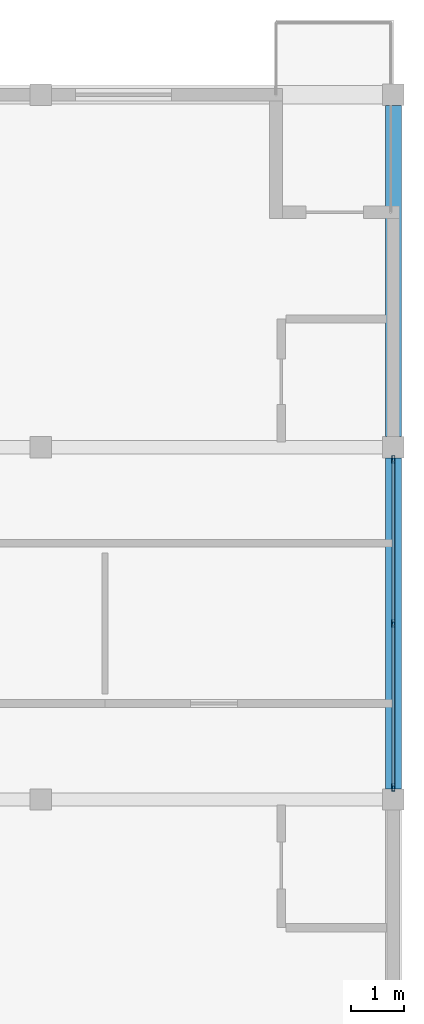
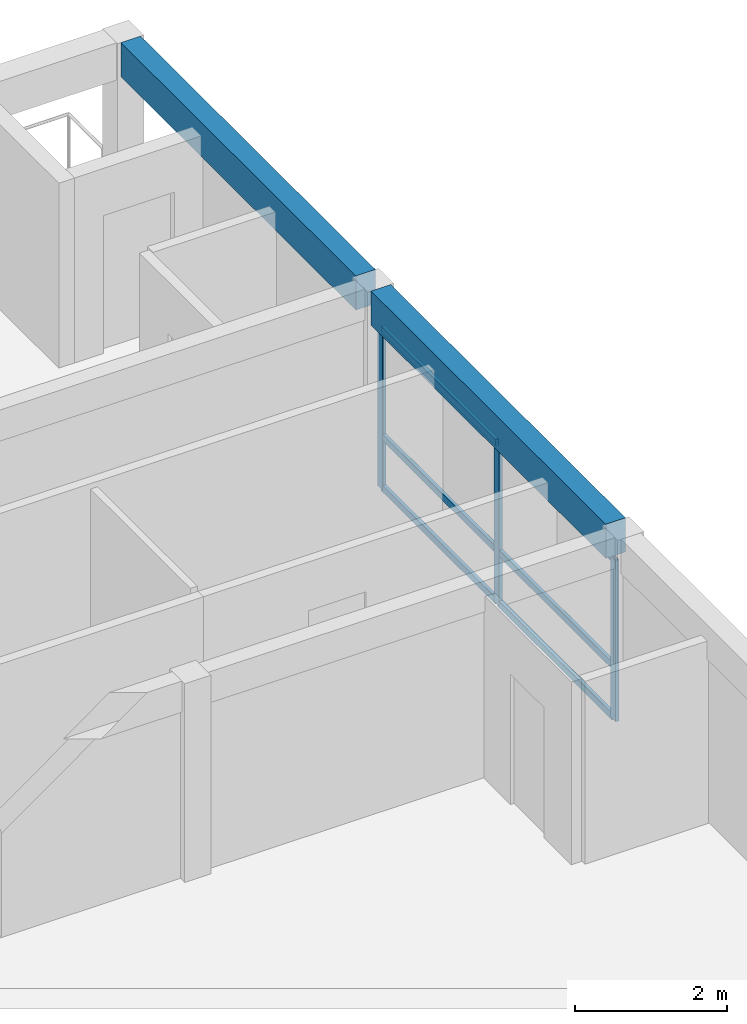
# One storey, part 6 of 12: 9 members, 2 beams, 1 element without a shape of its own.
"""IFC4 building model written with IfcOpenShell, lengths in metres."""

from ifc_helpers import new_model, si_unit, direction, frame, origin, origin_2d, place, context, subcontext, project, spatial, rectangle, hollow_rectangle, extrude, material, material_profile, profile_set, type_object, element, aggregate, save


model = new_model("IFC4")

# Units and contexts
model_context = context("Model", 3, precision=1e-05, world=origin(), true_north=direction((0.0, 1.0)))
body_context = subcontext(model_context, "Body", "Model", "MODEL_VIEW")
ifc_project = project(units=[si_unit("LENGTHUNIT", "METRE"), si_unit("AREAUNIT", "SQUARE_METRE"), si_unit("VOLUMEUNIT", "CUBIC_METRE"), si_unit("PLANEANGLEUNIT", "RADIAN"), si_unit("MASSUNIT", "GRAM", prefix="KILO")], contexts=[model_context])

# Site, building, storey
site_placement = place(None, origin())
site = spatial("IfcSite", under=ifc_project, at=site_placement, CompositionType="ELEMENT")
building_placement = place(site_placement, origin())
building = spatial("IfcBuilding", under=site, at=building_placement, Name="Kernevlak Ridge Housing Community", CompositionType="ELEMENT")
storey_placement = place(building_placement, frame((0.0, 0.0, 53.199951171875)))
storey = spatial("IfcBuildingStorey", under=building, at=storey_placement, Name="L16", CompositionType="ELEMENT", Elevation=53.199951171875)

# Curtain wall, members
ifc_material_1 = material(Name="Aluminium EN AW-6060 anodised and laminated glass", Category="aluminium")
curtain_wall_type = type_object("IfcCurtainWallType", Name="CW-10", PredefinedType="NOTDEFINED", material=ifc_material_1)
curtain_wall_placement = place(storey_placement, origin())
curtain_wall = element("IfcCurtainWall", 1, at=curtain_wall_placement, inside=storey, type_object=curtain_wall_type, Name="Curtain wall CW-10 CW-L16-051", PredefinedType="NOTDEFINED")
ifc_material_2 = material(Name="Aluminium EN AW-6060 anodised", Category="aluminium")
ifc_material_profile_1 = material_profile(ifc_material_2, hollow_rectangle(XDim=0.054931640625, YDim=0.139892578125, WallThickness=0.00390625, InnerFilletRadius=0.001953125, OuterFilletRadius=0.00390625, at=origin_2d()), Name="ALU 55x140x4")
ifc_profile_set_1 = profile_set([ifc_material_profile_1], Name="Aluminium EN AW-6060 anodised")
member_type_1 = type_object("IfcMemberType", Name="MU-01", PredefinedType="MULLION", material=ifc_profile_set_1)
member_1_placement = place(storey_placement, frame((48.60009765625, 82.827392578125, 0.0), z_axis=(0.0, 0.0, 1.0), x_axis=(-1.0, 0.0, 0.0)))
member_1 = element("IfcMember", 2, at=member_1_placement, type_object=member_type_1, Name="CW-10 mullion 1", PredefinedType="MULLION", context=body_context, shape_type="SweptSolid", body=[
    extrude(hollow_rectangle(XDim=0.054931640625, YDim=0.139892578125, WallThickness=0.00390625, InnerFilletRadius=0.001953125, OuterFilletRadius=0.00390625, at=origin_2d()), origin(), (0.0, 0.0, 1.0), 2.60009765625),
])
member_2_placement = place(storey_placement, frame((48.60009765625, 85.89990234375, 0.0), z_axis=(0.0, 0.0, 1.0), x_axis=(-1.0, 0.0, 0.0)))
member_2 = element("IfcMember", 3, at=member_2_placement, type_object=member_type_1, Name="CW-10 mullion 2", PredefinedType="MULLION", context=body_context, shape_type="SweptSolid", body=[
    extrude(hollow_rectangle(XDim=0.054931640625, YDim=0.139892578125, WallThickness=0.00390625, InnerFilletRadius=0.001953125, OuterFilletRadius=0.00390625, at=origin_2d()), origin(), (0.0, 0.0, 1.0), 2.60009765625),
])
member_3_placement = place(storey_placement, frame((48.60009765625, 88.972412109375, 0.0), z_axis=(0.0, 0.0, 1.0), x_axis=(-1.0, 0.0, 0.0)))
member_3 = element("IfcMember", 4, at=member_3_placement, type_object=member_type_1, Name="CW-10 mullion 3", PredefinedType="MULLION", context=body_context, shape_type="SweptSolid", body=[
    extrude(hollow_rectangle(XDim=0.054931640625, YDim=0.139892578125, WallThickness=0.00390625, InnerFilletRadius=0.001953125, OuterFilletRadius=0.00390625, at=origin_2d()), origin(), (0.0, 0.0, 1.0), 2.60009765625),
])

# Beams
ifc_material_3 = material(Name="Concrete C35/45", Category="concrete")
ifc_material_profile_2 = material_profile(ifc_material_3, rectangle(XDim=0.300048828125, YDim=0.550048828125, at=origin_2d()), Name="RC 300x550")
ifc_profile_set_2 = profile_set([ifc_material_profile_2], Name="Concrete C35/45")
beam_type = type_object("IfcBeamType", Name="SP-01", PredefinedType="SPANDREL", material=ifc_profile_set_2)
beam_1_placement = place(storey_placement, frame((48.60009765625, 82.800048828125, 2.925048828125), z_axis=(0.0, 1.0, 0.0), x_axis=(-1.0, 0.0, 0.0)))
element("IfcBeam", 5, at=beam_1_placement, inside=storey, type_object=beam_type, Name="Beam SP-01 L16 497", PredefinedType="SPANDREL", context=body_context, shape_type="SweptSolid", body=[
    extrude(rectangle(XDim=0.300048828125, YDim=0.550048828125, at=origin_2d()), origin(), (0.0, 0.0, 1.0), 6.199951171875),
])
beam_2_placement = place(storey_placement, frame((48.60009765625, 89.39990234375, 2.925048828125), z_axis=(0.0, 1.0, 0.0), x_axis=(-1.0, 0.0, 0.0)))
element("IfcBeam", 6, at=beam_2_placement, inside=storey, type_object=beam_type, Name="Beam SP-01 L16 498", PredefinedType="SPANDREL", context=body_context, shape_type="SweptSolid", body=[
    extrude(rectangle(XDim=0.300048828125, YDim=0.550048828125, at=origin_2d()), origin(), (0.0, 0.0, 1.0), 6.2001953125),
])

# Member
ifc_material_profile_3 = material_profile(ifc_material_2, hollow_rectangle(XDim=0.054931640625, YDim=0.110107421875, WallThickness=0.00390625, InnerFilletRadius=0.001953125, OuterFilletRadius=0.00390625, at=origin_2d()), Name="ALU 55x110x4")
ifc_profile_set_3 = profile_set([ifc_material_profile_3], Name="Aluminium EN AW-6060 anodised")
member_type_2 = type_object("IfcMemberType", Name="TM-01", PredefinedType="USERDEFINED", material=ifc_profile_set_3)
member_4_placement = place(storey_placement, frame((48.60009765625, 82.85498046875, 0.027587890625), z_axis=(0.0, 1.0, 0.0), x_axis=(-1.0, 0.0, 0.0)))
member_4 = element("IfcMember", 7, at=member_4_placement, type_object=member_type_2, Name="CW-10 transom 1.1", ObjectType="TRANSOM", PredefinedType="USERDEFINED", context=body_context, shape_type="SweptSolid", body=[
    extrude(hollow_rectangle(XDim=0.054931640625, YDim=0.110107421875, WallThickness=0.00390625, InnerFilletRadius=0.001953125, OuterFilletRadius=0.00390625, at=origin_2d()), origin(), (0.0, 0.0, 1.0), 3.017578125),
])

member_5_placement = place(storey_placement, frame((48.60009765625, 82.85498046875, 0.85009765625), z_axis=(0.0, 1.0, 0.0), x_axis=(-1.0, 0.0, 0.0)))
member_5 = element("IfcMember", 8, at=member_5_placement, type_object=member_type_2, Name="CW-10 transom 1.2", ObjectType="TRANSOM", PredefinedType="USERDEFINED", context=body_context, shape_type="SweptSolid", body=[
    extrude(hollow_rectangle(XDim=0.054931640625, YDim=0.110107421875, WallThickness=0.00390625, InnerFilletRadius=0.001953125, OuterFilletRadius=0.00390625, at=origin_2d()), origin(), (0.0, 0.0, 1.0), 3.017578125),
])

member_6_placement = place(storey_placement, frame((48.60009765625, 82.85498046875, 2.572509765625), z_axis=(0.0, 1.0, 0.0), x_axis=(-1.0, 0.0, 0.0)))
member_6 = element("IfcMember", 9, at=member_6_placement, type_object=member_type_2, Name="CW-10 transom 1.3", ObjectType="TRANSOM", PredefinedType="USERDEFINED", context=body_context, shape_type="SweptSolid", body=[
    extrude(hollow_rectangle(XDim=0.054931640625, YDim=0.110107421875, WallThickness=0.00390625, InnerFilletRadius=0.001953125, OuterFilletRadius=0.00390625, at=origin_2d()), origin(), (0.0, 0.0, 1.0), 3.017578125),
])

member_7_placement = place(storey_placement, frame((48.60009765625, 85.927490234375, 0.027587890625), z_axis=(0.0, 1.0, 0.0), x_axis=(-1.0, 0.0, 0.0)))
member_7 = element("IfcMember", 10, at=member_7_placement, type_object=member_type_2, Name="CW-10 transom 2.1", ObjectType="TRANSOM", PredefinedType="USERDEFINED", context=body_context, shape_type="SweptSolid", body=[
    extrude(hollow_rectangle(XDim=0.054931640625, YDim=0.110107421875, WallThickness=0.00390625, InnerFilletRadius=0.001953125, OuterFilletRadius=0.00390625, at=origin_2d()), origin(), (0.0, 0.0, 1.0), 3.017578125),
])

member_8_placement = place(storey_placement, frame((48.60009765625, 85.927490234375, 0.85009765625), z_axis=(0.0, 1.0, 0.0), x_axis=(-1.0, 0.0, 0.0)))
member_8 = element("IfcMember", 11, at=member_8_placement, type_object=member_type_2, Name="CW-10 transom 2.2", ObjectType="TRANSOM", PredefinedType="USERDEFINED", context=body_context, shape_type="SweptSolid", body=[
    extrude(hollow_rectangle(XDim=0.054931640625, YDim=0.110107421875, WallThickness=0.00390625, InnerFilletRadius=0.001953125, OuterFilletRadius=0.00390625, at=origin_2d()), origin(), (0.0, 0.0, 1.0), 3.017578125),
])

member_9_placement = place(storey_placement, frame((48.60009765625, 85.927490234375, 2.572509765625), z_axis=(0.0, 1.0, 0.0), x_axis=(-1.0, 0.0, 0.0)))
member_9 = element("IfcMember", 12, at=member_9_placement, type_object=member_type_2, Name="CW-10 transom 2.3", ObjectType="TRANSOM", PredefinedType="USERDEFINED", context=body_context, shape_type="SweptSolid", body=[
    extrude(hollow_rectangle(XDim=0.054931640625, YDim=0.110107421875, WallThickness=0.00390625, InnerFilletRadius=0.001953125, OuterFilletRadius=0.00390625, at=origin_2d()), origin(), (0.0, 0.0, 1.0), 3.017578125),
])

aggregate(curtain_wall, [member_1, member_2, member_3, member_4, member_5, member_6, member_7, member_8, member_9])

save(model, "model.ifc")
